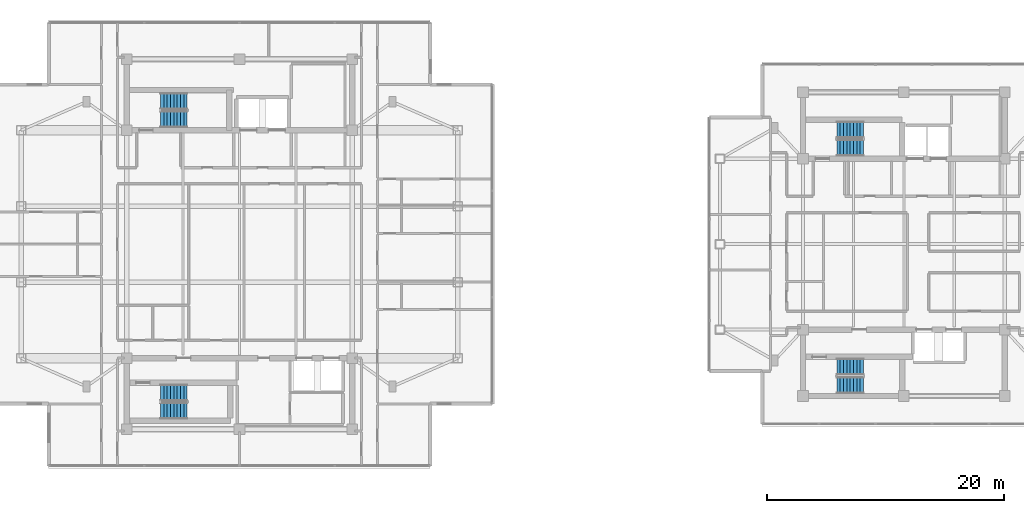
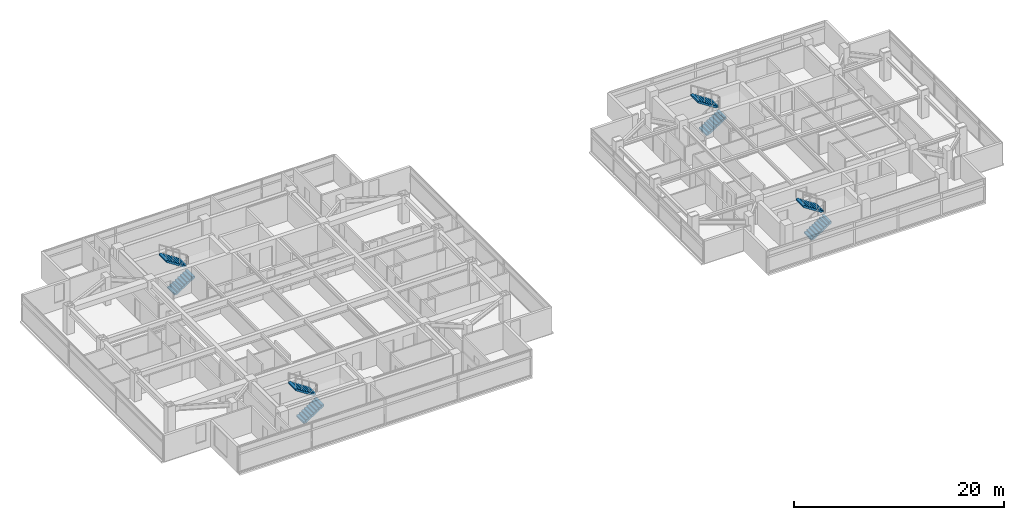
# One storey, part 16 of 21: 8 stair flights, 4 elements without a shape of their own.
"""IFC4 building model written with IfcOpenShell, lengths in metres."""

from ifc_helpers import new_model, si_unit, direction, frame, origin, place, context, subcontext, project, spatial, polyline, outline, extrude, material, type_object, element, aggregate, save


model = new_model("IFC4")

# Units and contexts
model_context = context("Model", 3, precision=1e-05, world=origin(), true_north=direction((0.0, 1.0)))
body_context = subcontext(model_context, "Body", "Model", "MODEL_VIEW")
ifc_project = project(units=[si_unit("LENGTHUNIT", "METRE"), si_unit("AREAUNIT", "SQUARE_METRE"), si_unit("VOLUMEUNIT", "CUBIC_METRE"), si_unit("PLANEANGLEUNIT", "RADIAN"), si_unit("MASSUNIT", "GRAM", prefix="KILO")], contexts=[model_context])

# Site, building, storey
site_placement = place(None, origin())
site = spatial("IfcSite", under=ifc_project, at=site_placement, CompositionType="ELEMENT")
building_placement = place(site_placement, origin())
building = spatial("IfcBuilding", under=site, at=building_placement, Name="Mirazonda Arch Towers", CompositionType="ELEMENT")
storey_placement = place(building_placement, frame((0.0, 0.0, 206.39990234375)))
storey = spatial("IfcBuildingStorey", under=building, at=storey_placement, Name="L59", CompositionType="ELEMENT", Elevation=206.39990234375)

# Stair, stair flights
ifc_material = material(Name="Concrete C40/50", Category="concrete")
stair_type = type_object("IfcStairType", Name="STAIR-CORE-1400", PredefinedType="HALF_TURN_STAIR", material=ifc_material)
stair_1_placement = place(storey_placement, origin())
stair_1 = element("IfcStair", 1, at=stair_1_placement, inside=storey, type_object=stair_type, Name="L59 Protected Exit Stair ST-T1N", PredefinedType="HALF_TURN_STAIR")
stair_flight_type = type_object("IfcStairFlightType", Name="FLIGHT-1400", PredefinedType="STRAIGHT", material=ifc_material)
stair_flight_1_placement = place(storey_placement, frame((13.85009765625, 38.52001953125, 0.0), z_axis=(0.0, 0.0, 1.0), x_axis=(1.0, 0.0, 0.0)))
stair_flight_1 = element("IfcStairFlight", 2, at=stair_flight_1_placement, type_object=stair_flight_type, Name="ST-T1N flight 1", NumberOfRisers=9, NumberOfTreads=8, PredefinedType="STRAIGHT", RiserHeight=0.180555556, TreadLength=0.28, context=body_context, shape_type="SweptSolid", body=[
    extrude(outline(polyline([(0.0, 0.0), (0.0, 0.1806640625), (0.280029296875, 0.1806640625), (0.280029296875, 0.361083984375), (0.56005859375, 0.361083984375), (0.56005859375, 0.541748046875), (0.840087890625, 0.541748046875), (0.840087890625, 0.72216796875), (1.1201171875, 0.72216796875), (1.1201171875, 0.90283203125), (1.39990234375, 0.90283203125), (1.39990234375, 1.083251953125), (1.679931640625, 1.083251953125), (1.679931640625, 1.263916015625), (1.9599609375, 1.263916015625), (1.9599609375, 1.4443359375), (2.239990234375, 1.4443359375), (2.239990234375, 1.625), (2.239990234375, 1.254150390625), (0.295166015625, 0.0), (0.0, 0.0)])), frame((0.0, 0.699951171875, 0.0), z_axis=(0.0, -1.0, 0.0), x_axis=(1.0, 0.0, 0.0)), (0.0, 0.0, 1.0), 1.39990234375),
])
stair_flight_2_placement = place(storey_placement, frame((16.090087890625, 40.06005859375, 1.625), z_axis=(0.0, 0.0, 1.0), x_axis=(-1.0, 0.0, 0.0)))
stair_flight_2 = element("IfcStairFlight", 3, at=stair_flight_2_placement, type_object=stair_flight_type, Name="ST-T1N flight 2", NumberOfRisers=9, NumberOfTreads=8, PredefinedType="STRAIGHT", RiserHeight=0.180555556, TreadLength=0.28, context=body_context, shape_type="SweptSolid", body=[
    extrude(outline(polyline([(0.0, 0.0), (0.0, 0.1806640625), (0.280029296875, 0.1806640625), (0.280029296875, 0.361083984375), (0.56005859375, 0.361083984375), (0.56005859375, 0.541748046875), (0.840087890625, 0.541748046875), (0.840087890625, 0.72216796875), (1.1201171875, 0.72216796875), (1.1201171875, 0.90283203125), (1.39990234375, 0.90283203125), (1.39990234375, 1.083251953125), (1.679931640625, 1.083251953125), (1.679931640625, 1.263916015625), (1.9599609375, 1.263916015625), (1.9599609375, 1.4443359375), (2.239990234375, 1.4443359375), (2.239990234375, 1.625), (2.239990234375, 1.254150390625), (0.295166015625, 0.0), (0.0, 0.0)])), frame((0.0, 0.699951171875, 0.0), z_axis=(0.0, -1.0, 0.0), x_axis=(1.0, 0.0, 0.0)), (0.0, 0.0, 1.0), 1.39990234375),
])
aggregate(stair_1, [stair_flight_1, stair_flight_2])

stair_2_placement = place(storey_placement, origin())
stair_2 = element("IfcStair", 4, at=stair_2_placement, inside=storey, type_object=stair_type, Name="L59 Protected Exit Stair ST-T1S", PredefinedType="HALF_TURN_STAIR")
stair_flight_3_placement = place(storey_placement, frame((13.85009765625, 13.949951171875, 0.0), z_axis=(0.0, 0.0, 1.0), x_axis=(1.0, 0.0, 0.0)))
stair_flight_3 = element("IfcStairFlight", 5, at=stair_flight_3_placement, type_object=stair_flight_type, Name="ST-T1S flight 1", NumberOfRisers=9, NumberOfTreads=8, PredefinedType="STRAIGHT", RiserHeight=0.180555556, TreadLength=0.28, context=body_context, shape_type="SweptSolid", body=[
    extrude(outline(polyline([(0.0, 0.0), (0.0, 0.1806640625), (0.280029296875, 0.1806640625), (0.280029296875, 0.361083984375), (0.56005859375, 0.361083984375), (0.56005859375, 0.541748046875), (0.840087890625, 0.541748046875), (0.840087890625, 0.72216796875), (1.1201171875, 0.72216796875), (1.1201171875, 0.90283203125), (1.39990234375, 0.90283203125), (1.39990234375, 1.083251953125), (1.679931640625, 1.083251953125), (1.679931640625, 1.263916015625), (1.9599609375, 1.263916015625), (1.9599609375, 1.4443359375), (2.239990234375, 1.4443359375), (2.239990234375, 1.625), (2.239990234375, 1.254150390625), (0.295166015625, 0.0), (0.0, 0.0)])), frame((0.0, 0.699951171875, 0.0), z_axis=(0.0, -1.0, 0.0), x_axis=(1.0, 0.0, 0.0)), (0.0, 0.0, 1.0), 1.39990234375),
])
stair_flight_4_placement = place(storey_placement, frame((16.090087890625, 15.489990234375, 1.625), z_axis=(0.0, 0.0, 1.0), x_axis=(-1.0, 0.0, 0.0)))
stair_flight_4 = element("IfcStairFlight", 6, at=stair_flight_4_placement, type_object=stair_flight_type, Name="ST-T1S flight 2", NumberOfRisers=9, NumberOfTreads=8, PredefinedType="STRAIGHT", RiserHeight=0.180555556, TreadLength=0.28, context=body_context, shape_type="SweptSolid", body=[
    extrude(outline(polyline([(0.0, 0.0), (0.0, 0.1806640625), (0.280029296875, 0.1806640625), (0.280029296875, 0.361083984375), (0.56005859375, 0.361083984375), (0.56005859375, 0.541748046875), (0.840087890625, 0.541748046875), (0.840087890625, 0.72216796875), (1.1201171875, 0.72216796875), (1.1201171875, 0.90283203125), (1.39990234375, 0.90283203125), (1.39990234375, 1.083251953125), (1.679931640625, 1.083251953125), (1.679931640625, 1.263916015625), (1.9599609375, 1.263916015625), (1.9599609375, 1.4443359375), (2.239990234375, 1.4443359375), (2.239990234375, 1.625), (2.239990234375, 1.254150390625), (0.295166015625, 0.0), (0.0, 0.0)])), frame((0.0, 0.699951171875, 0.0), z_axis=(0.0, -1.0, 0.0), x_axis=(1.0, 0.0, 0.0)), (0.0, 0.0, 1.0), 1.39990234375),
])
aggregate(stair_2, [stair_flight_3, stair_flight_4])

stair_3_placement = place(storey_placement, origin())
stair_3 = element("IfcStair", 7, at=stair_3_placement, inside=storey, type_object=stair_type, Name="L59 Protected Exit Stair ST-T2N", PredefinedType="HALF_TURN_STAIR")
stair_flight_5_placement = place(storey_placement, frame((70.85009765625, 36.1201171875, 0.0), z_axis=(0.0, 0.0, 1.0), x_axis=(1.0, 0.0, 0.0)))
stair_flight_5 = element("IfcStairFlight", 8, at=stair_flight_5_placement, type_object=stair_flight_type, Name="ST-T2N flight 1", NumberOfRisers=9, NumberOfTreads=8, PredefinedType="STRAIGHT", RiserHeight=0.180555556, TreadLength=0.28, context=body_context, shape_type="SweptSolid", body=[
    extrude(outline(polyline([(0.0, 0.0), (0.0, 0.1806640625), (0.280029296875, 0.1806640625), (0.280029296875, 0.361083984375), (0.56005859375, 0.361083984375), (0.56005859375, 0.541748046875), (0.840087890625, 0.541748046875), (0.840087890625, 0.72216796875), (1.1201171875, 0.72216796875), (1.1201171875, 0.90283203125), (1.39990234375, 0.90283203125), (1.39990234375, 1.083251953125), (1.679931640625, 1.083251953125), (1.679931640625, 1.263916015625), (1.9599609375, 1.263916015625), (1.9599609375, 1.4443359375), (2.239990234375, 1.4443359375), (2.239990234375, 1.625), (2.239990234375, 1.254150390625), (0.295166015625, 0.0), (0.0, 0.0)])), frame((0.0, 0.699951171875, 0.0), z_axis=(0.0, -1.0, 0.0), x_axis=(1.0, 0.0, 0.0)), (0.0, 0.0, 1.0), 1.39990234375),
])
stair_flight_6_placement = place(storey_placement, frame((73.090087890625, 37.659912109375, 1.625), z_axis=(0.0, 0.0, 1.0), x_axis=(-1.0, 0.0, 0.0)))
stair_flight_6 = element("IfcStairFlight", 9, at=stair_flight_6_placement, type_object=stair_flight_type, Name="ST-T2N flight 2", NumberOfRisers=9, NumberOfTreads=8, PredefinedType="STRAIGHT", RiserHeight=0.180555556, TreadLength=0.28, context=body_context, shape_type="SweptSolid", body=[
    extrude(outline(polyline([(0.0, 0.0), (0.0, 0.1806640625), (0.280029296875, 0.1806640625), (0.280029296875, 0.361083984375), (0.56005859375, 0.361083984375), (0.56005859375, 0.541748046875), (0.840087890625, 0.541748046875), (0.840087890625, 0.72216796875), (1.1201171875, 0.72216796875), (1.1201171875, 0.90283203125), (1.39990234375, 0.90283203125), (1.39990234375, 1.083251953125), (1.679931640625, 1.083251953125), (1.679931640625, 1.263916015625), (1.9599609375, 1.263916015625), (1.9599609375, 1.4443359375), (2.239990234375, 1.4443359375), (2.239990234375, 1.625), (2.239990234375, 1.254150390625), (0.295166015625, 0.0), (0.0, 0.0)])), frame((0.0, 0.699951171875, 0.0), z_axis=(0.0, -1.0, 0.0), x_axis=(1.0, 0.0, 0.0)), (0.0, 0.0, 1.0), 1.39990234375),
])
aggregate(stair_3, [stair_flight_5, stair_flight_6])

stair_4_placement = place(storey_placement, origin())
stair_4 = element("IfcStair", 10, at=stair_4_placement, inside=storey, type_object=stair_type, Name="L59 Protected Exit Stair ST-T2S", PredefinedType="HALF_TURN_STAIR")
stair_flight_7_placement = place(storey_placement, frame((70.85009765625, 16.1201171875, 0.0), z_axis=(0.0, 0.0, 1.0), x_axis=(1.0, 0.0, 0.0)))
stair_flight_7 = element("IfcStairFlight", 11, at=stair_flight_7_placement, type_object=stair_flight_type, Name="ST-T2S flight 1", NumberOfRisers=9, NumberOfTreads=8, PredefinedType="STRAIGHT", RiserHeight=0.180555556, TreadLength=0.28, context=body_context, shape_type="SweptSolid", body=[
    extrude(outline(polyline([(0.0, 0.0), (0.0, 0.1806640625), (0.280029296875, 0.1806640625), (0.280029296875, 0.361083984375), (0.56005859375, 0.361083984375), (0.56005859375, 0.541748046875), (0.840087890625, 0.541748046875), (0.840087890625, 0.72216796875), (1.1201171875, 0.72216796875), (1.1201171875, 0.90283203125), (1.39990234375, 0.90283203125), (1.39990234375, 1.083251953125), (1.679931640625, 1.083251953125), (1.679931640625, 1.263916015625), (1.9599609375, 1.263916015625), (1.9599609375, 1.4443359375), (2.239990234375, 1.4443359375), (2.239990234375, 1.625), (2.239990234375, 1.254150390625), (0.295166015625, 0.0), (0.0, 0.0)])), frame((0.0, 0.699951171875, 0.0), z_axis=(0.0, -1.0, 0.0), x_axis=(1.0, 0.0, 0.0)), (0.0, 0.0, 1.0), 1.39990234375),
])
stair_flight_8_placement = place(storey_placement, frame((73.090087890625, 17.659912109375, 1.625), z_axis=(0.0, 0.0, 1.0), x_axis=(-1.0, 0.0, 0.0)))
stair_flight_8 = element("IfcStairFlight", 12, at=stair_flight_8_placement, type_object=stair_flight_type, Name="ST-T2S flight 2", NumberOfRisers=9, NumberOfTreads=8, PredefinedType="STRAIGHT", RiserHeight=0.180555556, TreadLength=0.28, context=body_context, shape_type="SweptSolid", body=[
    extrude(outline(polyline([(0.0, 0.0), (0.0, 0.1806640625), (0.280029296875, 0.1806640625), (0.280029296875, 0.361083984375), (0.56005859375, 0.361083984375), (0.56005859375, 0.541748046875), (0.840087890625, 0.541748046875), (0.840087890625, 0.72216796875), (1.1201171875, 0.72216796875), (1.1201171875, 0.90283203125), (1.39990234375, 0.90283203125), (1.39990234375, 1.083251953125), (1.679931640625, 1.083251953125), (1.679931640625, 1.263916015625), (1.9599609375, 1.263916015625), (1.9599609375, 1.4443359375), (2.239990234375, 1.4443359375), (2.239990234375, 1.625), (2.239990234375, 1.254150390625), (0.295166015625, 0.0), (0.0, 0.0)])), frame((0.0, 0.699951171875, 0.0), z_axis=(0.0, -1.0, 0.0), x_axis=(1.0, 0.0, 0.0)), (0.0, 0.0, 1.0), 1.39990234375),
])
aggregate(stair_4, [stair_flight_7, stair_flight_8])

save(model, "model.ifc")
